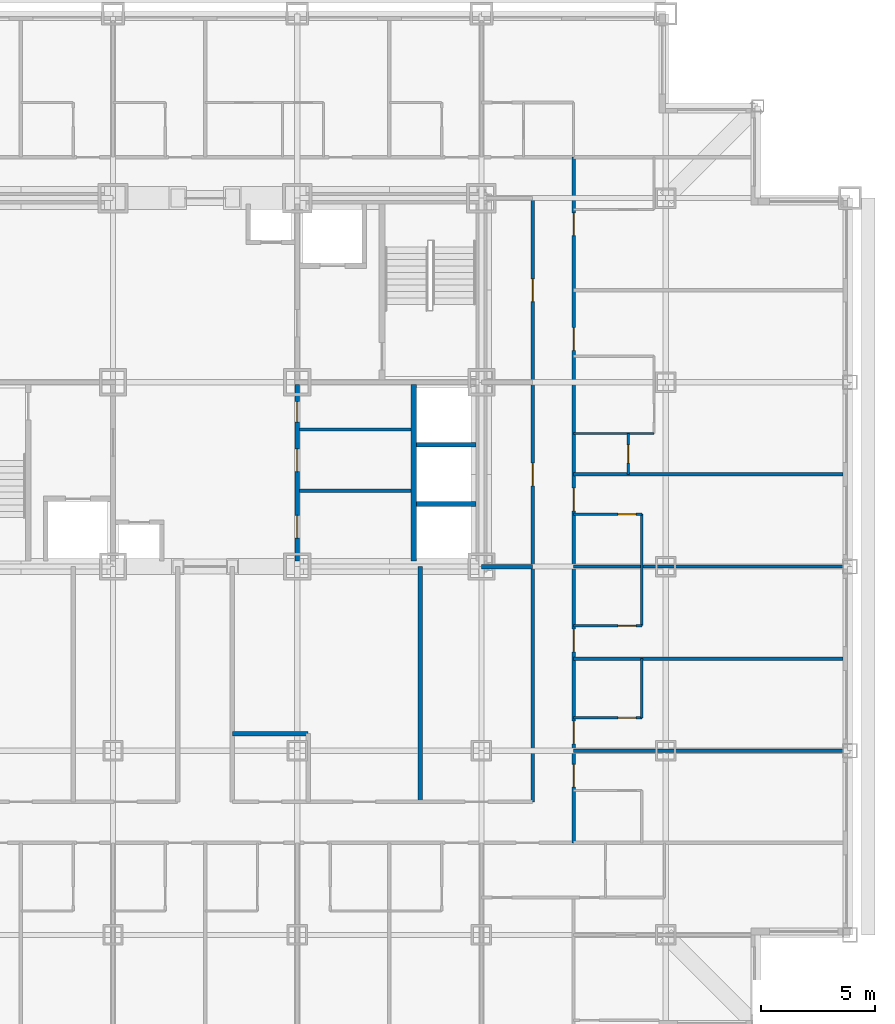
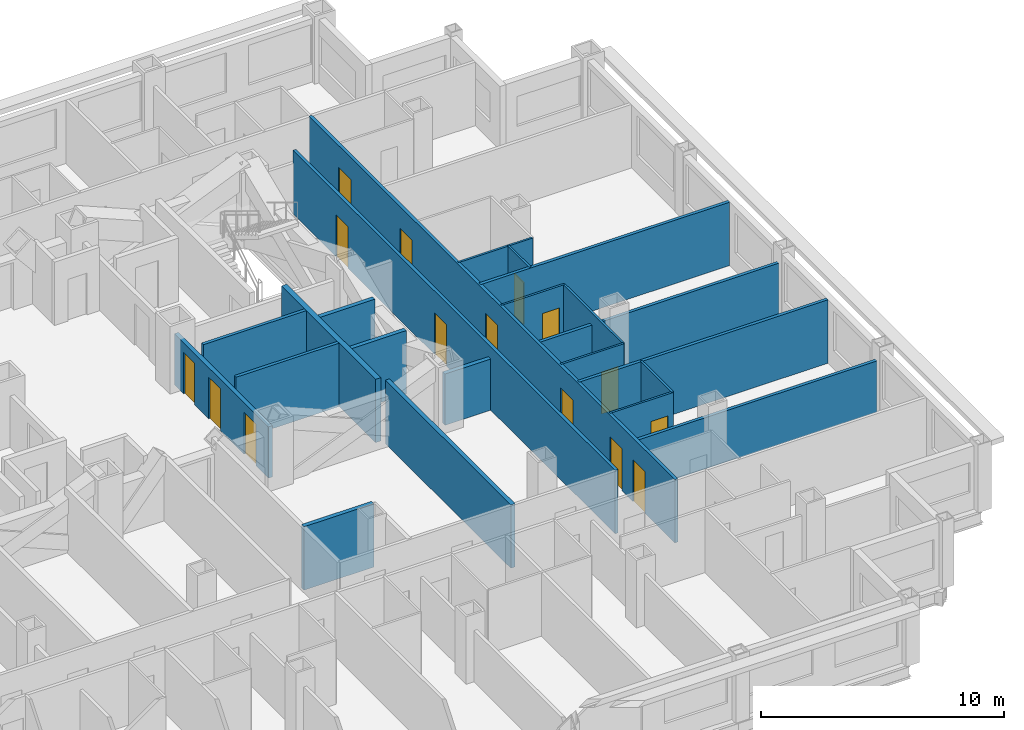
# One storey, part 7 of 12: 22 walls, 15 doors, 15 openings.
"""IFC4 building model written with IfcOpenShell, lengths in metres."""

from ifc_helpers import new_model, si_unit, direction, frame, frame_2d, origin, place, context, subcontext, project, spatial, rectangle, extrude, material, layer, layer_set, type_object, element, fill, save


model = new_model("IFC4")

# Units and contexts
model_context = context("Model", 3, precision=1e-05, world=origin(), true_north=direction((0.0, 1.0)))
body_context = subcontext(model_context, "Body", "Model", "MODEL_VIEW")
ifc_project = project(units=[si_unit("LENGTHUNIT", "METRE"), si_unit("AREAUNIT", "SQUARE_METRE"), si_unit("VOLUMEUNIT", "CUBIC_METRE"), si_unit("PLANEANGLEUNIT", "RADIAN"), si_unit("MASSUNIT", "GRAM", prefix="KILO")], contexts=[model_context])

# Site, building, storey
site_placement = place(None, origin())
site = spatial("IfcSite", under=ifc_project, at=site_placement, CompositionType="ELEMENT")
building_placement = place(site_placement, origin())
building = spatial("IfcBuilding", under=site, at=building_placement, Name="Kopane Lantern Tower", CompositionType="ELEMENT")
storey_placement = place(building_placement, frame((0.0, 0.0, 70.39990234375)))
storey = spatial("IfcBuildingStorey", under=building, at=storey_placement, Name="L17", CompositionType="ELEMENT", Elevation=70.39990234375)

# Wall
ifc_material_1 = material(Name="Moisture-resistant board on steel studs", Category="steel")
ifc_layer_1 = layer(ifc_material_1, 0.10009765625)
ifc_layer_set_1 = layer_set([ifc_layer_1], Name="BATHROOM WALL 100")
wall_type_1 = type_object("IfcWallType", Name="BATHROOM WALL 100", PredefinedType="PARTITIONING", material=ifc_layer_set_1)
wall_1_placement = place(storey_placement, frame((47.550048828125, 17.64990234375, 0.0), z_axis=(0.0, 0.0, 1.0), x_axis=(0.0, 1.0, 0.0)))
element("IfcWall", 1, at=wall_1_placement, inside=storey, type_object=wall_type_1, Name="Bathroom Wall 100 L17", PredefinedType="PARTITIONING", context=body_context, shape_type="SweptSolid", body=[
    extrude(rectangle(XDim=2.60009765625, YDim=0.10009765625, at=frame_2d((1.300048828125, 0.0))), origin(), (0.0, 0.0, 1.0), 3.190185546875),
])

# Wall, opening, door
wall_2_placement = place(storey_placement, frame((44.550048828125, 17.64990234375, 0.0), z_axis=(0.0, 0.0, 1.0), x_axis=(1.0, 0.0, 0.0)))
wall_2 = element("IfcWall", 2, at=wall_2_placement, inside=storey, type_object=wall_type_1, Name="Bathroom Wall 100 L17", PredefinedType="PARTITIONING", context=body_context, shape_type="SweptSolid", body=[
    extrude(rectangle(XDim=3.0, YDim=0.10009765625, at=frame_2d((1.5, 0.0))), origin(), (0.0, 0.0, 1.0), 3.190185546875),
])
opening_1_placement = place(wall_2_placement, frame((1.949951171875, 0.0, 0.0)))
opening_1 = element("IfcOpeningElement", 3, at=opening_1_placement, cuts=wall_2, Name="Opening L17-056", PredefinedType="OPENING", context=body_context, shape_type="SweptSolid", body=[
    extrude(rectangle(XDim=0.800048828125, YDim=2.10009765625, at=frame_2d((0.39990234375, 1.050048828125))), frame((0.0, 0.06005859375, 0.0), z_axis=(0.0, -1.0, 0.0), x_axis=(1.0, 0.0, 0.0)), (0.0, 0.0, 1.0), 0.1201171875),
])
ifc_material_2 = material(Name="Timber door set", Category="wood")
door_type_1 = type_object("IfcDoorType", Name="DOOR D2 800x2100", OperationType="SINGLE_SWING_LEFT", PredefinedType="DOOR", material=ifc_material_2)
door_1_placement = place(opening_1_placement, origin())
door_1 = element("IfcDoor", 4, at=door_1_placement, inside=storey, type_object=door_type_1, Name="Door L17-056", OperationType="SINGLE_SWING_RIGHT", OverallHeight=2.10009765625, OverallWidth=0.800048828125, PredefinedType="DOOR", context=body_context, shape_type="SweptSolid", body=[
    extrude(rectangle(XDim=0.800048828125, YDim=2.10009765625, at=frame_2d((0.39990234375, 1.050048828125))), frame((0.0, 0.02490234375, 0.0), z_axis=(0.0, -1.0, 0.0), x_axis=(1.0, 0.0, 0.0)), (0.0, 0.0, 1.0), 0.050048828125),
])
fill(opening_1, door_1)

# Wall
wall_3_placement = place(storey_placement, frame((47.550048828125, 21.699951171875, 0.0), z_axis=(0.0, 0.0, 1.0), x_axis=(0.0, 1.0, 0.0)))
element("IfcWall", 5, at=wall_3_placement, inside=storey, type_object=wall_type_1, Name="Bathroom Wall 100 L17", PredefinedType="PARTITIONING", context=body_context, shape_type="SweptSolid", body=[
    extrude(rectangle(XDim=4.900146484375, YDim=0.10009765625, at=frame_2d((2.4501953125, 0.0))), origin(), (0.0, 0.0, 1.0), 3.190185546875),
])

# Wall, opening, door
wall_4_placement = place(storey_placement, frame((44.550048828125, 21.699951171875, 0.0), z_axis=(0.0, 0.0, 1.0), x_axis=(1.0, 0.0, 0.0)))
wall_4 = element("IfcWall", 6, at=wall_4_placement, inside=storey, type_object=wall_type_1, Name="Bathroom Wall 100 L17", PredefinedType="PARTITIONING", context=body_context, shape_type="SweptSolid", body=[
    extrude(rectangle(XDim=3.0, YDim=0.10009765625, at=frame_2d((1.5, 0.0))), origin(), (0.0, 0.0, 1.0), 3.190185546875),
])
opening_2_placement = place(wall_4_placement, frame((1.949951171875, 0.0, 0.0)))
opening_2 = element("IfcOpeningElement", 7, at=opening_2_placement, cuts=wall_4, Name="Opening L17-058", PredefinedType="OPENING", context=body_context, shape_type="SweptSolid", body=[
    extrude(rectangle(XDim=0.800048828125, YDim=2.10009765625, at=frame_2d((0.39990234375, 1.050048828125))), frame((0.0, 0.06005859375, 0.0), z_axis=(0.0, -1.0, 0.0), x_axis=(1.0, 0.0, 0.0)), (0.0, 0.0, 1.0), 0.1201171875),
])
door_2_placement = place(opening_2_placement, origin())
door_2 = element("IfcDoor", 8, at=door_2_placement, inside=storey, type_object=door_type_1, Name="Door L17-058", OperationType="SINGLE_SWING_RIGHT", OverallHeight=2.10009765625, OverallWidth=0.800048828125, PredefinedType="DOOR", context=body_context, shape_type="SweptSolid", body=[
    extrude(rectangle(XDim=0.800048828125, YDim=2.10009765625, at=frame_2d((0.39990234375, 1.050048828125))), frame((0.0, 0.02490234375, 0.0), z_axis=(0.0, -1.0, 0.0), x_axis=(1.0, 0.0, 0.0)), (0.0, 0.0, 1.0), 0.050048828125),
])
fill(opening_2, door_2)

wall_5_placement = place(storey_placement, frame((44.550048828125, 26.60009765625, 0.0), z_axis=(0.0, 0.0, 1.0), x_axis=(1.0, 0.0, 0.0)))
wall_5 = element("IfcWall", 9, at=wall_5_placement, inside=storey, type_object=wall_type_1, Name="Bathroom Wall 100 L17", PredefinedType="PARTITIONING", context=body_context, shape_type="SweptSolid", body=[
    extrude(rectangle(XDim=3.0, YDim=0.10009765625, at=frame_2d((1.5, 0.0))), origin(), (0.0, 0.0, 1.0), 3.190185546875),
])
opening_3_placement = place(wall_5_placement, frame((1.949951171875, 0.0, 0.0)))
opening_3 = element("IfcOpeningElement", 10, at=opening_3_placement, cuts=wall_5, Name="Opening L17-060", PredefinedType="OPENING", context=body_context, shape_type="SweptSolid", body=[
    extrude(rectangle(XDim=0.800048828125, YDim=2.10009765625, at=frame_2d((0.39990234375, 1.050048828125))), frame((0.0, 0.06005859375, 0.0), z_axis=(0.0, -1.0, 0.0), x_axis=(1.0, 0.0, 0.0)), (0.0, 0.0, 1.0), 0.1201171875),
])
door_3_placement = place(opening_3_placement, origin())
door_3 = element("IfcDoor", 11, at=door_3_placement, inside=storey, type_object=door_type_1, Name="Door L17-060", OperationType="SINGLE_SWING_LEFT", OverallHeight=2.10009765625, OverallWidth=0.800048828125, PredefinedType="DOOR", context=body_context, shape_type="SweptSolid", body=[
    extrude(rectangle(XDim=0.800048828125, YDim=2.10009765625, at=frame_2d((0.39990234375, 1.050048828125))), frame((0.0, 0.02490234375, 0.0), z_axis=(0.0, -1.0, 0.0), x_axis=(1.0, 0.0, 0.0)), (0.0, 0.0, 1.0), 0.050048828125),
])
fill(opening_3, door_3)

wall_6_placement = place(storey_placement, frame((46.949951171875, 28.35009765625, 0.0), z_axis=(0.0, 0.0, 1.0), x_axis=(0.0, 1.0, 0.0)))
wall_6 = element("IfcWall", 12, at=wall_6_placement, inside=storey, type_object=wall_type_1, Name="Bathroom Wall 100 L17", PredefinedType="PARTITIONING", context=body_context, shape_type="SweptSolid", body=[
    extrude(rectangle(XDim=1.7998046875, YDim=0.10009765625, at=frame_2d((0.89990234375, 0.0))), origin(), (0.0, 0.0, 1.0), 3.190185546875),
])
opening_4_placement = place(wall_6_placement, frame((0.5, 0.0, 0.0)))
opening_4 = element("IfcOpeningElement", 13, at=opening_4_placement, cuts=wall_6, Name="Opening L17-063", PredefinedType="OPENING", context=body_context, shape_type="SweptSolid", body=[
    extrude(rectangle(XDim=0.800048828125, YDim=2.10009765625, at=frame_2d((0.39990234375, 1.050048828125))), frame((0.0, 0.06005859375, 0.0), z_axis=(0.0, -1.0, 0.0), x_axis=(1.0, 0.0, 0.0)), (0.0, 0.0, 1.0), 0.1201171875),
])
door_4_placement = place(opening_4_placement, origin())
door_4 = element("IfcDoor", 14, at=door_4_placement, inside=storey, type_object=door_type_1, Name="Door L17-063", OperationType="SINGLE_SWING_LEFT", OverallHeight=2.10009765625, OverallWidth=0.800048828125, PredefinedType="DOOR", context=body_context, shape_type="SweptSolid", body=[
    extrude(rectangle(XDim=0.800048828125, YDim=2.10009765625, at=frame_2d((0.39990234375, 1.050048828125))), frame((0.0, 0.02490234375, 0.0), z_axis=(0.0, -1.0, 0.0), x_axis=(1.0, 0.0, 0.0)), (0.0, 0.0, 1.0), 0.050048828125),
])
fill(opening_4, door_4)

# Walls
wall_7_placement = place(storey_placement, frame((44.550048828125, 30.14990234375, 0.0), z_axis=(0.0, 0.0, 1.0), x_axis=(1.0, 0.0, 0.0)))
element("IfcWall", 15, at=wall_7_placement, inside=storey, type_object=wall_type_1, Name="Bathroom Wall 100 L17", PredefinedType="PARTITIONING", context=body_context, shape_type="SweptSolid", body=[
    extrude(rectangle(XDim=3.5400390625, YDim=0.10009765625, at=frame_2d((1.77001953125, 0.0))), origin(), (0.0, 0.0, 1.0), 3.190185546875),
])
ifc_material_3 = material(Name="Gypsum partition EI 60", Category="gypsum")
ifc_layer_2 = layer(ifc_material_3, 0.14990234375)
ifc_layer_set_2 = layer_set([ifc_layer_2], Name="CORE ROOM PARTITION 150 EI 60")
wall_type_2 = type_object("IfcWallType", Name="CORE ROOM PARTITION 150 EI 60", PredefinedType="PARTITIONING", material=ifc_layer_set_2)
for number, where, z_axis, x_axis, name in (
    (16, (32.5, 27.625, 0.0), (0.0, 0.0, 1.0), (1.0, 0.0, 0.0), "Core room partition L17 E1"),
    (17, (32.5, 30.324951171875, 0.0), (0.0, 0.0, 1.0), (1.0, 0.0, 0.0), "Core room partition L17 E2"),
):
    element("IfcWall", number, at=place(storey_placement, frame(where, z_axis=z_axis, x_axis=x_axis)), inside=storey, type_object=wall_type_2, Name=name, PredefinedType="PARTITIONING", context=body_context, shape_type="SweptSolid", body=[
        extrude(rectangle(XDim=4.89990234375, YDim=0.14990234375, at=frame_2d((2.449951171875, 0.0))), origin(), (0.0, 0.0, 1.0), 3.190185546875),
    ])

# Wall, openings, doors
ifc_material_4 = material(Name="Gypsum partition EI 60", Category="gypsum")
ifc_layer_3 = layer(ifc_material_4, 0.199951171875)
ifc_layer_set_3 = layer_set([ifc_layer_3], Name="CORE ROOM WALL 200 EI 60")
wall_type_3 = type_object("IfcWallType", Name="CORE ROOM WALL 200 EI 60", PredefinedType="PARTITIONING", material=ifc_layer_set_3)
wall_8_placement = place(storey_placement, frame((32.39990234375, 24.550048828125, 0.0), z_axis=(0.0, 0.0, 1.0), x_axis=(0.0, 1.0, 0.0)))
wall_8 = element("IfcWall", 18, at=wall_8_placement, inside=storey, type_object=wall_type_3, Name="Core room wall L17 XE", PredefinedType="PARTITIONING", context=body_context, shape_type="SweptSolid", body=[
    extrude(rectangle(XDim=7.75, YDim=0.199951171875, at=frame_2d((3.875, 0.0))), origin(), (0.0, 0.0, 1.0), 2.577880859375),
])
opening_5_placement = place(wall_8_placement, frame((1.0, 0.0, 0.0)))
opening_5 = element("IfcOpeningElement", 19, at=opening_5_placement, cuts=wall_8, Name="Opening 17.C20", PredefinedType="OPENING", context=body_context, shape_type="SweptSolid", body=[
    extrude(rectangle(XDim=1.0, YDim=2.10009765625, at=frame_2d((0.5, 1.050048828125))), frame((0.0, 0.10986328125, 0.0), z_axis=(0.0, -1.0, 0.0), x_axis=(1.0, 0.0, 0.0)), (0.0, 0.0, 1.0), 0.219970703125),
])
opening_6_placement = place(wall_8_placement, frame((3.925048828125, 0.0, 0.0)))
opening_6 = element("IfcOpeningElement", 20, at=opening_6_placement, cuts=wall_8, Name="Opening 17.C21", PredefinedType="OPENING", context=body_context, shape_type="SweptSolid", body=[
    extrude(rectangle(XDim=1.0, YDim=2.10009765625, at=frame_2d((0.5, 1.050048828125))), frame((0.0, 0.10986328125, 0.0), z_axis=(0.0, -1.0, 0.0), x_axis=(1.0, 0.0, 0.0)), (0.0, 0.0, 1.0), 0.219970703125),
])
opening_7_placement = place(wall_8_placement, frame((6.10009765625, 0.0, 0.0)))
opening_7 = element("IfcOpeningElement", 21, at=opening_7_placement, cuts=wall_8, Name="Opening 17.C22", PredefinedType="OPENING", context=body_context, shape_type="SweptSolid", body=[
    extrude(rectangle(XDim=0.89990234375, YDim=2.10009765625, at=frame_2d((0.449951171875, 1.050048828125))), frame((0.0, 0.10986328125, 0.0), z_axis=(0.0, -1.0, 0.0), x_axis=(1.0, 0.0, 0.0)), (0.0, 0.0, 1.0), 0.219970703125),
])
ifc_material_5 = material(Name="Steel door set", Category="steel")
door_type_2 = type_object("IfcDoorType", Name="CORE ROOM DOOR 1000x2100 FD30S", OperationType="SINGLE_SWING_RIGHT", PredefinedType="DOOR", material=ifc_material_5)
door_5_placement = place(opening_5_placement, origin())
door_5 = element("IfcDoor", 22, at=door_5_placement, inside=storey, type_object=door_type_2, Name="Door Guest pantry L17", OperationType="SINGLE_SWING_LEFT", OverallHeight=2.10009765625, OverallWidth=1.0, PredefinedType="DOOR", context=body_context, shape_type="SweptSolid", body=[
    extrude(rectangle(XDim=1.0, YDim=2.10009765625, at=frame_2d((0.5, 1.050048828125))), frame((0.0, 0.02490234375, 0.0), z_axis=(0.0, -1.0, 0.0), x_axis=(1.0, 0.0, 0.0)), (0.0, 0.0, 1.0), 0.050048828125),
])
fill(opening_5, door_5)
door_6_placement = place(opening_6_placement, origin())
door_6 = element("IfcDoor", 23, at=door_6_placement, inside=storey, type_object=door_type_2, Name="Door Ice and vending room L17", OperationType="SINGLE_SWING_LEFT", OverallHeight=2.10009765625, OverallWidth=1.0, PredefinedType="DOOR", context=body_context, shape_type="SweptSolid", body=[
    extrude(rectangle(XDim=1.0, YDim=2.10009765625, at=frame_2d((0.5, 1.050048828125))), frame((0.0, 0.02490234375, 0.0), z_axis=(0.0, -1.0, 0.0), x_axis=(1.0, 0.0, 0.0)), (0.0, 0.0, 1.0), 0.050048828125),
])
fill(opening_6, door_6)
ifc_material_6 = material(Name="Steel door set", Category="steel")
door_type_3 = type_object("IfcDoorType", Name="CORE ROOM DOOR 900x2100 FD60", OperationType="SINGLE_SWING_LEFT", PredefinedType="DOOR", material=ifc_material_6)
door_7_placement = place(opening_7_placement, origin())
door_7 = element("IfcDoor", 24, at=door_7_placement, inside=storey, type_object=door_type_3, Name="Door IT room L17", OperationType="SINGLE_SWING_RIGHT", OverallHeight=2.10009765625, OverallWidth=0.89990234375, PredefinedType="DOOR", context=body_context, shape_type="SweptSolid", body=[
    extrude(rectangle(XDim=0.89990234375, YDim=2.10009765625, at=frame_2d((0.449951171875, 1.050048828125))), frame((0.0, 0.02490234375, 0.0), z_axis=(0.0, -1.0, 0.0), x_axis=(1.0, 0.0, 0.0)), (0.0, 0.0, 1.0), 0.050048828125),
])
fill(opening_7, door_7)

# Wall
ifc_material_7 = material(Name="Gypsum shaft wall EI 120", Category="gypsum")
ifc_layer_4 = layer(ifc_material_7, 0.25)
ifc_layer_set_4 = layer_set([ifc_layer_4], Name="CORE SHAFT WALL 250 EI 120")
wall_type_4 = type_object("IfcWallType", Name="CORE SHAFT WALL 250 EI 120", PredefinedType="SOLIDWALL", material=ifc_layer_set_4)
wall_9_placement = place(storey_placement, frame((37.52490234375, 24.550048828125, 0.0), z_axis=(0.0, 0.0, 1.0), x_axis=(0.0, 1.0, 0.0)))
element("IfcWall", 25, at=wall_9_placement, inside=storey, type_object=wall_type_4, Name="Core shaft wall L17 XLR", PredefinedType="SOLIDWALL", context=body_context, shape_type="SweptSolid", body=[
    extrude(rectangle(XDim=7.75, YDim=0.25, at=frame_2d((3.875, 0.0))), origin(), (0.0, 0.0, 1.0), 3.190185546875),
])

# Wall, openings, doors
ifc_material_8 = material(Name="Gypsum board on steel studs", Category="steel")
ifc_layer_5 = layer(ifc_material_8, 0.14990234375)
ifc_layer_set_5 = layer_set([ifc_layer_5], Name="CORRIDOR WALL 150 EI 60")
wall_type_5 = type_object("IfcWallType", Name="CORRIDOR WALL 150 EI 60", PredefinedType="PARTITIONING", material=ifc_layer_set_5)
wall_10_placement = place(storey_placement, frame((44.550048828125, 12.14990234375, 0.0), z_axis=(0.0, 0.0, 1.0), x_axis=(0.0, 1.0, 0.0)))
wall_10 = element("IfcWall", 26, at=wall_10_placement, inside=storey, type_object=wall_type_5, Name="Corridor Wall 150 Ei 60 L17", PredefinedType="PARTITIONING", context=body_context, shape_type="SweptSolid", body=[
    extrude(rectangle(XDim=30.150146484375, YDim=0.14990234375, at=frame_2d((15.0751953125, 0.0))), origin(), (0.0, 0.0, 1.0), 3.190185546875),
])
opening_8_placement = place(wall_10_placement, frame((2.449951171875, 0.0, 0.0)))
opening_8 = element("IfcOpeningElement", 27, at=opening_8_placement, cuts=wall_10, Name="Opening L17-055", PredefinedType="OPENING", context=body_context, shape_type="SweptSolid", body=[
    extrude(rectangle(XDim=1.0, YDim=2.10009765625, at=frame_2d((0.5, 1.050048828125))), frame((0.0, 0.0849609375, 0.0), z_axis=(0.0, -1.0, 0.0), x_axis=(1.0, 0.0, 0.0)), (0.0, 0.0, 1.0), 0.169921875),
])
opening_9_placement = place(wall_10_placement, frame((4.35009765625, 0.0, 0.0)))
opening_9 = element("IfcOpeningElement", 28, at=opening_9_placement, cuts=wall_10, Name="Opening L17-057", PredefinedType="OPENING", context=body_context, shape_type="SweptSolid", body=[
    extrude(rectangle(XDim=1.0, YDim=2.10009765625, at=frame_2d((0.5, 1.050048828125))), frame((0.0, 0.0849609375, 0.0), z_axis=(0.0, -1.0, 0.0), x_axis=(1.0, 0.0, 0.0)), (0.0, 0.0, 1.0), 0.169921875),
])
opening_10_placement = place(wall_10_placement, frame((8.39990234375, 0.0, 0.0)))
opening_10 = element("IfcOpeningElement", 29, at=opening_10_placement, cuts=wall_10, Name="Opening L17-059", PredefinedType="OPENING", context=body_context, shape_type="SweptSolid", body=[
    extrude(rectangle(XDim=1.0, YDim=2.10009765625, at=frame_2d((0.5, 1.050048828125))), frame((0.0, 0.0849609375, 0.0), z_axis=(0.0, -1.0, 0.0), x_axis=(1.0, 0.0, 0.0)), (0.0, 0.0, 1.0), 0.169921875),
])
opening_11_placement = place(wall_10_placement, frame((14.60009765625, 0.0, 0.0)))
opening_11 = element("IfcOpeningElement", 30, at=opening_11_placement, cuts=wall_10, Name="Opening L17-061", PredefinedType="OPENING", context=body_context, shape_type="SweptSolid", body=[
    extrude(rectangle(XDim=1.0, YDim=2.10009765625, at=frame_2d((0.5, 1.050048828125))), frame((0.0, 0.0849609375, 0.0), z_axis=(0.0, -1.0, 0.0), x_axis=(1.0, 0.0, 0.0)), (0.0, 0.0, 1.0), 0.169921875),
])
opening_12_placement = place(wall_10_placement, frame((21.64990234375, 0.0, 0.0)))
opening_12 = element("IfcOpeningElement", 31, at=opening_12_placement, cuts=wall_10, Name="Opening L17-064", PredefinedType="OPENING", context=body_context, shape_type="SweptSolid", body=[
    extrude(rectangle(XDim=1.0, YDim=2.10009765625, at=frame_2d((0.5, 1.050048828125))), frame((0.0, 0.0849609375, 0.0), z_axis=(0.0, -1.0, 0.0), x_axis=(1.0, 0.0, 0.0)), (0.0, 0.0, 1.0), 0.169921875),
])
opening_13_placement = place(wall_10_placement, frame((26.699951171875, 0.0, 0.0)))
opening_13 = element("IfcOpeningElement", 32, at=opening_13_placement, cuts=wall_10, Name="Opening L17-066", PredefinedType="OPENING", context=body_context, shape_type="SweptSolid", body=[
    extrude(rectangle(XDim=1.0, YDim=2.10009765625, at=frame_2d((0.5, 1.050048828125))), frame((0.0, 0.0849609375, 0.0), z_axis=(0.0, -1.0, 0.0), x_axis=(1.0, 0.0, 0.0)), (0.0, 0.0, 1.0), 0.169921875),
])
ifc_material_9 = material(Name="Steel door set", Category="steel")
door_type_4 = type_object("IfcDoorType", Name="DOOR D1 1000x2100 FD30S", OperationType="SINGLE_SWING_LEFT", PredefinedType="DOOR", material=ifc_material_9)
door_8_placement = place(opening_8_placement, origin())
door_8 = element("IfcDoor", 33, at=door_8_placement, inside=storey, type_object=door_type_4, Name="Door L17-055", OperationType="SINGLE_SWING_RIGHT", OverallHeight=2.10009765625, OverallWidth=1.0, PredefinedType="DOOR", context=body_context, shape_type="SweptSolid", body=[
    extrude(rectangle(XDim=1.0, YDim=2.10009765625, at=frame_2d((0.5, 1.050048828125))), frame((0.0, 0.02490234375, 0.0), z_axis=(0.0, -1.0, 0.0), x_axis=(1.0, 0.0, 0.0)), (0.0, 0.0, 1.0), 0.050048828125),
])
fill(opening_8, door_8)
door_9_placement = place(opening_9_placement, origin())
door_9 = element("IfcDoor", 34, at=door_9_placement, inside=storey, type_object=door_type_4, Name="Door L17-057", OperationType="SINGLE_SWING_LEFT", OverallHeight=2.10009765625, OverallWidth=1.0, PredefinedType="DOOR", context=body_context, shape_type="SweptSolid", body=[
    extrude(rectangle(XDim=1.0, YDim=2.10009765625, at=frame_2d((0.5, 1.050048828125))), frame((0.0, 0.02490234375, 0.0), z_axis=(0.0, -1.0, 0.0), x_axis=(1.0, 0.0, 0.0)), (0.0, 0.0, 1.0), 0.050048828125),
])
fill(opening_9, door_9)
door_10_placement = place(opening_10_placement, origin())
door_10 = element("IfcDoor", 35, at=door_10_placement, inside=storey, type_object=door_type_4, Name="Door L17-059", OperationType="SINGLE_SWING_LEFT", OverallHeight=2.10009765625, OverallWidth=1.0, PredefinedType="DOOR", context=body_context, shape_type="SweptSolid", body=[
    extrude(rectangle(XDim=1.0, YDim=2.10009765625, at=frame_2d((0.5, 1.050048828125))), frame((0.0, 0.02490234375, 0.0), z_axis=(0.0, -1.0, 0.0), x_axis=(1.0, 0.0, 0.0)), (0.0, 0.0, 1.0), 0.050048828125),
])
fill(opening_10, door_10)
door_11_placement = place(opening_11_placement, origin())
door_11 = element("IfcDoor", 36, at=door_11_placement, inside=storey, type_object=door_type_4, Name="Door L17-061", OperationType="SINGLE_SWING_RIGHT", OverallHeight=2.10009765625, OverallWidth=1.0, PredefinedType="DOOR", context=body_context, shape_type="SweptSolid", body=[
    extrude(rectangle(XDim=1.0, YDim=2.10009765625, at=frame_2d((0.5, 1.050048828125))), frame((0.0, 0.02490234375, 0.0), z_axis=(0.0, -1.0, 0.0), x_axis=(1.0, 0.0, 0.0)), (0.0, 0.0, 1.0), 0.050048828125),
])
fill(opening_11, door_11)
door_12_placement = place(opening_12_placement, origin())
door_12 = element("IfcDoor", 37, at=door_12_placement, inside=storey, type_object=door_type_4, Name="Door L17-064", OperationType="SINGLE_SWING_RIGHT", OverallHeight=2.10009765625, OverallWidth=1.0, PredefinedType="DOOR", context=body_context, shape_type="SweptSolid", body=[
    extrude(rectangle(XDim=1.0, YDim=2.10009765625, at=frame_2d((0.5, 1.050048828125))), frame((0.0, 0.02490234375, 0.0), z_axis=(0.0, -1.0, 0.0), x_axis=(1.0, 0.0, 0.0)), (0.0, 0.0, 1.0), 0.050048828125),
])
fill(opening_12, door_12)
door_13_placement = place(opening_13_placement, origin())
door_13 = element("IfcDoor", 38, at=door_13_placement, inside=storey, type_object=door_type_4, Name="Door L17-066", OperationType="SINGLE_SWING_LEFT", OverallHeight=2.10009765625, OverallWidth=1.0, PredefinedType="DOOR", context=body_context, shape_type="SweptSolid", body=[
    extrude(rectangle(XDim=1.0, YDim=2.10009765625, at=frame_2d((0.5, 1.050048828125))), frame((0.0, 0.02490234375, 0.0), z_axis=(0.0, -1.0, 0.0), x_axis=(1.0, 0.0, 0.0)), (0.0, 0.0, 1.0), 0.050048828125),
])
fill(opening_13, door_13)

wall_11_placement = place(storey_placement, frame((42.75, 13.949951171875, 0.0), z_axis=(0.0, 0.0, 1.0), x_axis=(0.0, 1.0, 0.0)))
wall_11 = element("IfcWall", 39, at=wall_11_placement, inside=storey, type_object=wall_type_5, Name="Corridor Wall 150 Ei 60 L17", PredefinedType="PARTITIONING", context=body_context, shape_type="SweptSolid", body=[
    extrude(rectangle(XDim=26.550048828125, YDim=0.14990234375, at=frame_2d((13.27490234375, 0.0))), origin(), (0.0, 0.0, 1.0), 3.190185546875),
])
opening_14_placement = place(wall_11_placement, frame((13.89990234375, 0.0, 0.0)))
opening_14 = element("IfcOpeningElement", 40, at=opening_14_placement, cuts=wall_11, Name="Opening L17-005", PredefinedType="OPENING", context=body_context, shape_type="SweptSolid", body=[
    extrude(rectangle(XDim=1.0, YDim=2.10009765625, at=frame_2d((0.5, 1.050048828125))), frame((0.0, 0.0849609375, 0.0), z_axis=(0.0, -1.0, 0.0), x_axis=(1.0, 0.0, 0.0)), (0.0, 0.0, 1.0), 0.169921875),
])
opening_15_placement = place(wall_11_placement, frame((22.0, 0.0, 0.0)))
opening_15 = element("IfcOpeningElement", 41, at=opening_15_placement, cuts=wall_11, Name="Opening L17-006", PredefinedType="OPENING", context=body_context, shape_type="SweptSolid", body=[
    extrude(rectangle(XDim=1.0, YDim=2.10009765625, at=frame_2d((0.5, 1.050048828125))), frame((0.0, 0.0849609375, 0.0), z_axis=(0.0, -1.0, 0.0), x_axis=(1.0, 0.0, 0.0)), (0.0, 0.0, 1.0), 0.169921875),
])
ifc_material_10 = material(Name="Steel door set", Category="steel")
door_type_5 = type_object("IfcDoorType", Name="DOOR D5 1000x2100 FD60", OperationType="SINGLE_SWING_LEFT", PredefinedType="DOOR", material=ifc_material_10)
door_14_placement = place(opening_14_placement, origin())
door_14 = element("IfcDoor", 42, at=door_14_placement, inside=storey, type_object=door_type_5, Name="Door L17-005", OperationType="SINGLE_SWING_LEFT", OverallHeight=2.10009765625, OverallWidth=1.0, PredefinedType="DOOR", context=body_context, shape_type="SweptSolid", body=[
    extrude(rectangle(XDim=1.0, YDim=2.10009765625, at=frame_2d((0.5, 1.050048828125))), frame((0.0, 0.02490234375, 0.0), z_axis=(0.0, -1.0, 0.0), x_axis=(1.0, 0.0, 0.0)), (0.0, 0.0, 1.0), 0.050048828125),
])
fill(opening_14, door_14)
door_15_placement = place(opening_15_placement, origin())
door_15 = element("IfcDoor", 43, at=door_15_placement, inside=storey, type_object=door_type_5, Name="Door L17-006", OperationType="SINGLE_SWING_RIGHT", OverallHeight=2.10009765625, OverallWidth=1.0, PredefinedType="DOOR", context=body_context, shape_type="SweptSolid", body=[
    extrude(rectangle(XDim=1.0, YDim=2.10009765625, at=frame_2d((0.5, 1.050048828125))), frame((0.0, 0.02490234375, 0.0), z_axis=(0.0, -1.0, 0.0), x_axis=(1.0, 0.0, 0.0)), (0.0, 0.0, 1.0), 0.050048828125),
])
fill(opening_15, door_15)

# Walls
ifc_material_11 = material(Name="Gypsum board on steel studs", Category="steel")
ifc_layer_6 = layer(ifc_material_11, 0.14990234375)
ifc_layer_set_6 = layer_set([ifc_layer_6], Name="DEMISING WALL 150 EI 60")
wall_type_6 = type_object("IfcWallType", Name="DEMISING WALL 150 EI 60", PredefinedType="PARTITIONING", material=ifc_layer_set_6)
wall_12_placement = place(storey_placement, frame((44.550048828125, 16.199951171875, 0.0), z_axis=(0.0, 0.0, 1.0), x_axis=(1.0, 0.0, 0.0)))
element("IfcWall", 44, at=wall_12_placement, inside=storey, type_object=wall_type_6, Name="Demising Wall 150 Ei 60 L17", PredefinedType="PARTITIONING", context=body_context, shape_type="SweptSolid", body=[
    extrude(rectangle(XDim=11.849853515625, YDim=0.14990234375, at=frame_2d((5.9248046875, 0.0))), origin(), (0.0, 0.0, 1.0), 2.577880859375),
])
wall_13_placement = place(storey_placement, frame((44.550048828125, 20.25, 0.0), z_axis=(0.0, 0.0, 1.0), x_axis=(1.0, 0.0, 0.0)))
element("IfcWall", 45, at=wall_13_placement, inside=storey, type_object=wall_type_6, Name="Demising Wall 150 Ei 60 L17", PredefinedType="PARTITIONING", context=body_context, shape_type="SweptSolid", body=[
    extrude(rectangle(XDim=11.849853515625, YDim=0.14990234375, at=frame_2d((5.9248046875, 0.0))), origin(), (0.0, 0.0, 1.0), 3.190185546875),
])
wall_14_placement = place(storey_placement, frame((44.550048828125, 24.300048828125, 0.0), z_axis=(0.0, 0.0, 1.0), x_axis=(1.0, 0.0, 0.0)))
element("IfcWall", 46, at=wall_14_placement, inside=storey, type_object=wall_type_6, Name="Demising Wall 150 Ei 60 L17", PredefinedType="PARTITIONING", context=body_context, shape_type="SweptSolid", body=[
    extrude(rectangle(XDim=11.849853515625, YDim=0.14990234375, at=frame_2d((5.9248046875, 0.0))), origin(), (0.0, 0.0, 1.0), 2.577880859375),
])
wall_15_placement = place(storey_placement, frame((44.550048828125, 28.35009765625, 0.0), z_axis=(0.0, 0.0, 1.0), x_axis=(1.0, 0.0, 0.0)))
element("IfcWall", 47, at=wall_15_placement, inside=storey, type_object=wall_type_6, Name="Demising Wall 150 Ei 60 L17", PredefinedType="PARTITIONING", context=body_context, shape_type="SweptSolid", body=[
    extrude(rectangle(XDim=11.849853515625, YDim=0.14990234375, at=frame_2d((5.9248046875, 0.0))), origin(), (0.0, 0.0, 1.0), 3.190185546875),
])
ifc_material_12 = material(Name="Concrete masonry", Category="masonry")
ifc_layer_7 = layer(ifc_material_12, 0.199951171875)
ifc_layer_set_7 = layer_set([ifc_layer_7], Name="PLANT ROOM WALL 200 EI 120")
wall_type_7 = type_object("IfcWallType", Name="PLANT ROOM WALL 200 EI 120", PredefinedType="SOLIDWALL", material=ifc_layer_set_7)
wall_16_placement = place(storey_placement, frame((29.550048828125, 16.949951171875, 0.0), z_axis=(0.0, 0.0, 1.0), x_axis=(1.0, 0.0, 0.0)))
element("IfcWall", 48, at=wall_16_placement, inside=storey, type_object=wall_type_7, Name="Plant Room Wall 200 Ei 120 L17", PredefinedType="SOLIDWALL", context=body_context, shape_type="SweptSolid", body=[
    extrude(rectangle(XDim=3.333251953125, YDim=0.199951171875, at=frame_2d((1.66650390625, 0.0))), origin(), (0.0, 0.0, 1.0), 3.190185546875),
])
wall_17_placement = place(storey_placement, frame((37.816650390625, 13.949951171875, 0.0), z_axis=(0.0, 0.0, 1.0), x_axis=(0.0, 1.0, 0.0)))
element("IfcWall", 49, at=wall_17_placement, inside=storey, type_object=wall_type_7, Name="Plant Room Wall 200 Ei 120 L17", PredefinedType="SOLIDWALL", context=body_context, shape_type="SweptSolid", body=[
    extrude(rectangle(XDim=10.35009765625, YDim=0.199951171875, at=frame_2d((5.175048828125, 0.0))), origin(), (0.0, 0.0, 1.0), 3.190185546875),
])
wall_18_placement = place(storey_placement, frame((40.5, 24.300048828125, 0.0), z_axis=(0.0, 0.0, 1.0), x_axis=(1.0, 0.0, 0.0)))
element("IfcWall", 50, at=wall_18_placement, inside=storey, type_object=wall_type_7, Name="Plant Room Wall 200 Ei 120 L17", PredefinedType="SOLIDWALL", context=body_context, shape_type="SweptSolid", body=[
    extrude(rectangle(XDim=2.25, YDim=0.199951171875, at=frame_2d((1.125, 0.0))), origin(), (0.0, 0.0, 1.0), 2.577880859375),
])
ifc_material_13 = material(Name="Gypsum shaft wall EI 120", Category="gypsum")
ifc_layer_8 = layer(ifc_material_13, 0.199951171875)
ifc_layer_set_8 = layer_set([ifc_layer_8], Name="SHAFT WALL 200 EI 120")
wall_type_8 = type_object("IfcWallType", Name="SHAFT WALL 200 EI 120", PredefinedType="SOLIDWALL", material=ifc_layer_set_8)
for number, where, z_axis, x_axis, name in (
    (51, (37.64990234375, 27.050048828125, 0.0), (0.0, 0.0, 1.0), (1.0, 0.0, 0.0), "Core shaft wall L17 YLR12"),
    (52, (37.64990234375, 29.64990234375, 0.0), (0.0, 0.0, 1.0), (1.0, 0.0, 0.0), "Core shaft wall L17 YLR23"),
):
    element("IfcWall", number, at=place(storey_placement, frame(where, z_axis=z_axis, x_axis=x_axis)), inside=storey, type_object=wall_type_8, Name=name, PredefinedType="SOLIDWALL", context=body_context, shape_type="SweptSolid", body=[
        extrude(rectangle(XDim=2.60009765625, YDim=0.199951171875, at=frame_2d((1.300048828125, 0.0))), origin(), (0.0, 0.0, 1.0), 3.190185546875),
    ])

save(model, "model.ifc")
